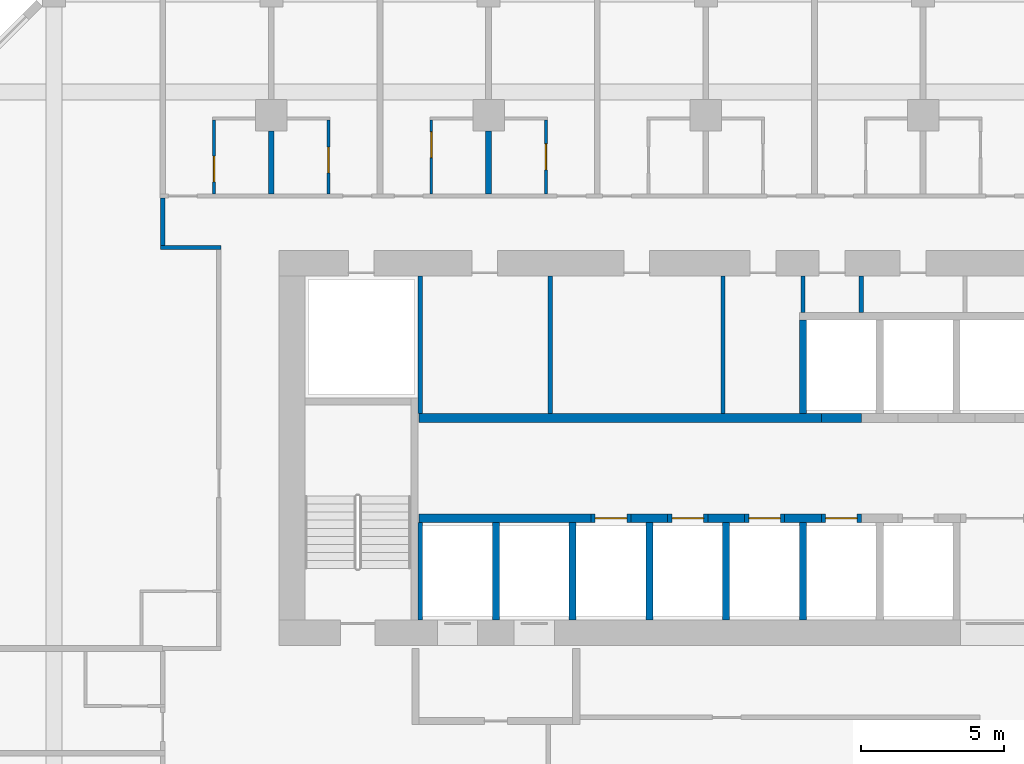
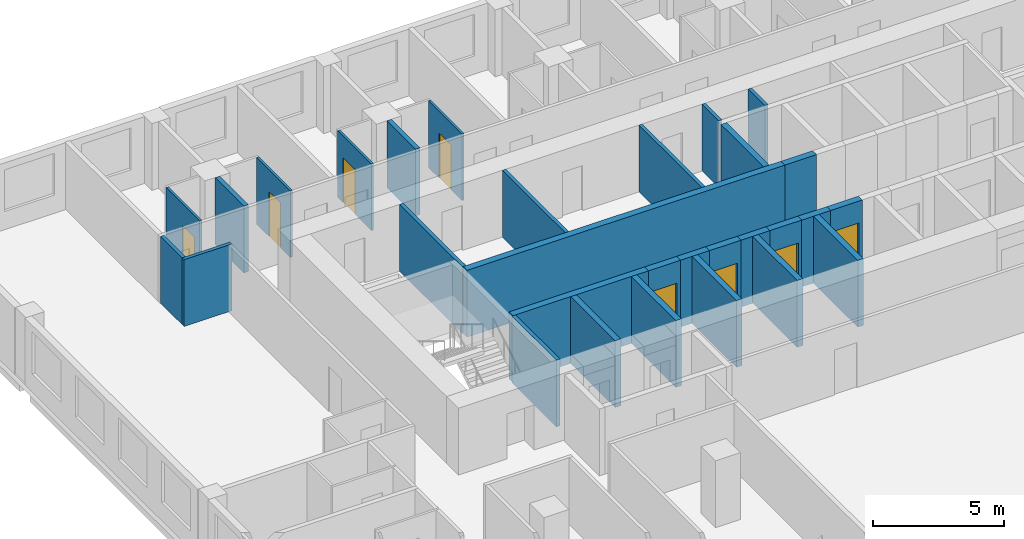
# One storey, part 7 of 23: 30 walls, 8 doors, 8 openings.
"""IFC4 building model written with IfcOpenShell, lengths in metres."""

from ifc_helpers import new_model, si_unit, direction, frame, frame_2d, origin, place, context, subcontext, project, spatial, rectangle, extrude, source, transform, mapped, material, layer, layer_set, type_object, element, fill, save


model = new_model("IFC4")

# Units and contexts
model_context = context("Model", 3, precision=1e-05, world=origin(), true_north=direction((0.0, 1.0)))
body_context = subcontext(model_context, "Body", "Model", "MODEL_VIEW")
ifc_project = project(units=[si_unit("LENGTHUNIT", "METRE"), si_unit("AREAUNIT", "SQUARE_METRE"), si_unit("VOLUMEUNIT", "CUBIC_METRE"), si_unit("PLANEANGLEUNIT", "RADIAN"), si_unit("MASSUNIT", "GRAM", prefix="KILO")], contexts=[model_context])

# Site, building, storey
site_placement = place(None, origin())
site = spatial("IfcSite", under=ifc_project, at=site_placement, CompositionType="ELEMENT")
building_placement = place(site_placement, origin())
building = spatial("IfcBuilding", under=site, at=building_placement, Name="Kilnfold Tower and Market Hall", CompositionType="ELEMENT")
storey_placement = place(building_placement, frame((0.0, 0.0, 150.699951171875)))
storey = spatial("IfcBuildingStorey", under=building, at=storey_placement, Name="L34", CompositionType="ELEMENT", Elevation=150.699951171875)

# Walls
ifc_material_1 = material(Name="Gypsum board on steel studs", Category="steel")
ifc_layer_1 = layer(ifc_material_1, 0.14990234375)
ifc_layer_set_1 = layer_set([ifc_layer_1], Name="Gypsum board on steel studs")
wall_type_1 = type_object("IfcWallType", Name="WALL CORRIDOR 150", PredefinedType="PARTITIONING", material=ifc_layer_set_1)
wall_1_placement = place(storey_placement, frame((-20.033935546875, 22.0, 0.0), z_axis=(0.0, 0.0, 1.0), x_axis=(1.0, 0.0, 0.0)))
element("IfcWall", 1, at=wall_1_placement, inside=storey, type_object=wall_type_1, Name="Partition LY22.21", PredefinedType="PARTITIONING", context=body_context, shape_type="SweptSolid", body=[
    extrude(rectangle(XDim=2.10888671875, YDim=0.14990234375, at=frame_2d((1.054443359375, 0.0))), origin(), (0.0, 0.0, 1.0), 3.1201171875),
])
wall_2_placement = place(storey_placement, frame((-19.958984375, 22.074951171875, 0.0), z_axis=(0.0, 0.0, 1.0), x_axis=(0.0, 1.0, 0.0)))
element("IfcWall", 2, at=wall_2_placement, inside=storey, type_object=wall_type_1, Name="Partition LY22.22", PredefinedType="PARTITIONING", context=body_context, shape_type="SweptSolid", body=[
    extrude(rectangle(XDim=1.650146484375, YDim=0.14990234375, at=frame_2d((0.8251953125, 0.0))), origin(), (0.0, 0.0, 1.0), 3.1201171875),
])

# Wall, opening, door
ifc_material_2 = material(Name="Gypsum board on steel studs", Category="steel")
ifc_layer_2 = layer(ifc_material_2, 0.10009765625)
ifc_layer_set_2 = layer_set([ifc_layer_2], Name="Gypsum board on steel studs")
wall_type_2 = type_object("IfcWallType", Name="WALL PARTITION 100", PredefinedType="PARTITIONING", material=ifc_layer_set_2)
wall_3_placement = place(storey_placement, frame((-18.1669921875, 23.876953125, 0.0), z_axis=(0.0, 0.0, 1.0), x_axis=(0.0, 1.0, 0.0)))
wall_3 = element("IfcWall", 3, at=wall_3_placement, inside=storey, type_object=wall_type_2, Name="Partition LY22.87", PredefinedType="PARTITIONING", context=body_context, shape_type="SweptSolid", body=[
    extrude(rectangle(XDim=2.574951171875, YDim=0.10009765625, at=frame_2d((1.28759765625, 0.0))), origin(), (0.0, 0.0, 1.0), 3.1201171875),
])
opening_1_placement = place(wall_3_placement, frame((0.4130859375, 0.0, 0.0)))
opening_1 = element("IfcOpeningElement", 4, at=opening_1_placement, cuts=wall_3, Name="Opening D3", PredefinedType="OPENING", context=body_context, shape_type="SweptSolid", body=[
    extrude(rectangle(XDim=0.89990234375, YDim=2.10009765625, at=frame_2d((0.449951171875, 1.050048828125))), frame((0.0, 0.06005859375, 0.0), z_axis=(0.0, -1.0, 0.0), x_axis=(1.0, 0.0, 0.0)), (0.0, 0.0, 1.0), 0.1201171875),
])
ifc_material_3 = material(Name="Timber veneer door leaf in steel frame", Category="steel")
door_type_1 = type_object("IfcDoorType", Name="DOOR WC 900 X2100", OperationType="NOTDEFINED", PredefinedType="DOOR", material=ifc_material_3)
door_1_placement = place(opening_1_placement, origin())
door_1 = element("IfcDoor", 5, at=door_1_placement, inside=storey, type_object=door_type_1, Name="Door D3", OperationType="SINGLE_SWING_LEFT", OverallHeight=2.10009765625, OverallWidth=0.89990234375, PredefinedType="DOOR", context=body_context, shape_type="SweptSolid", body=[
    extrude(rectangle(XDim=0.89990234375, YDim=2.10009765625, at=frame_2d((0.449951171875, 1.050048828125))), frame((0.0, 0.02490234375, 0.0), z_axis=(0.0, -1.0, 0.0), x_axis=(1.0, 0.0, 0.0)), (0.0, 0.0, 1.0), 0.050048828125),
])
fill(opening_1, door_1)

wall_4_placement = place(storey_placement, frame((-14.1669921875, 26.451904296875, 0.0), z_axis=(0.0, 0.0, 1.0), x_axis=(0.0, -1.0, 0.0)))
wall_4 = element("IfcWall", 6, at=wall_4_placement, inside=storey, type_object=wall_type_2, Name="Partition LY22.91", PredefinedType="PARTITIONING", context=body_context, shape_type="SweptSolid", body=[
    extrude(rectangle(XDim=2.574951171875, YDim=0.10009765625, at=frame_2d((1.28759765625, 0.0))), origin(), (0.0, 0.0, 1.0), 3.1201171875),
])
opening_2_placement = place(wall_4_placement, frame((0.944091796875, 0.0, 0.0)))
opening_2 = element("IfcOpeningElement", 7, at=opening_2_placement, cuts=wall_4, Name="Opening D3", PredefinedType="OPENING", context=body_context, shape_type="SweptSolid", body=[
    extrude(rectangle(XDim=0.89990234375, YDim=2.10009765625, at=frame_2d((0.449951171875, 1.050048828125))), frame((0.0, 0.06005859375, 0.0), z_axis=(0.0, -1.0, 0.0), x_axis=(1.0, 0.0, 0.0)), (0.0, 0.0, 1.0), 0.1201171875),
])
door_2_placement = place(opening_2_placement, origin())
door_2 = element("IfcDoor", 8, at=door_2_placement, inside=storey, type_object=door_type_1, Name="Door D3", OperationType="SINGLE_SWING_RIGHT", OverallHeight=2.10009765625, OverallWidth=0.89990234375, PredefinedType="DOOR", context=body_context, shape_type="SweptSolid", body=[
    extrude(rectangle(XDim=0.89990234375, YDim=2.10009765625, at=frame_2d((0.449951171875, 1.050048828125))), frame((0.0, 0.02490234375, 0.0), z_axis=(0.0, -1.0, 0.0), x_axis=(1.0, 0.0, 0.0)), (0.0, 0.0, 1.0), 0.050048828125),
])
fill(opening_2, door_2)

wall_5_placement = place(storey_placement, frame((-10.5830078125, 23.876953125, 0.0), z_axis=(0.0, 0.0, 1.0), x_axis=(0.0, 1.0, 0.0)))
wall_5 = element("IfcWall", 9, at=wall_5_placement, inside=storey, type_object=wall_type_2, Name="Partition LY22.94", PredefinedType="PARTITIONING", context=body_context, shape_type="SweptSolid", body=[
    extrude(rectangle(XDim=2.574951171875, YDim=0.10009765625, at=frame_2d((1.28759765625, 0.0))), origin(), (0.0, 0.0, 1.0), 3.1201171875),
])
opening_3_placement = place(wall_5_placement, frame((1.262939453125, 0.0, 0.0)))
opening_3 = element("IfcOpeningElement", 10, at=opening_3_placement, cuts=wall_5, Name="Opening D3", PredefinedType="OPENING", context=body_context, shape_type="SweptSolid", body=[
    extrude(rectangle(XDim=0.89990234375, YDim=2.10009765625, at=frame_2d((0.449951171875, 1.050048828125))), frame((0.0, 0.06005859375, 0.0), z_axis=(0.0, -1.0, 0.0), x_axis=(1.0, 0.0, 0.0)), (0.0, 0.0, 1.0), 0.1201171875),
])
door_3_placement = place(opening_3_placement, origin())
door_3 = element("IfcDoor", 11, at=door_3_placement, inside=storey, type_object=door_type_1, Name="Door D3", OperationType="SINGLE_SWING_LEFT", OverallHeight=2.10009765625, OverallWidth=0.89990234375, PredefinedType="DOOR", context=body_context, shape_type="SweptSolid", body=[
    extrude(rectangle(XDim=0.89990234375, YDim=2.10009765625, at=frame_2d((0.449951171875, 1.050048828125))), frame((0.0, 0.02490234375, 0.0), z_axis=(0.0, -1.0, 0.0), x_axis=(1.0, 0.0, 0.0)), (0.0, 0.0, 1.0), 0.050048828125),
])
fill(opening_3, door_3)

wall_6_placement = place(storey_placement, frame((-6.5830078125, 26.451904296875, 0.0), z_axis=(0.0, 0.0, 1.0), x_axis=(0.0, -1.0, 0.0)))
wall_6 = element("IfcWall", 12, at=wall_6_placement, inside=storey, type_object=wall_type_2, Name="Partition LY22.98", PredefinedType="PARTITIONING", context=body_context, shape_type="SweptSolid", body=[
    extrude(rectangle(XDim=2.574951171875, YDim=0.10009765625, at=frame_2d((1.28759765625, 0.0))), origin(), (0.0, 0.0, 1.0), 3.1201171875),
])
opening_4_placement = place(wall_6_placement, frame((0.837890625, 0.0, 0.0)))
opening_4 = element("IfcOpeningElement", 13, at=opening_4_placement, cuts=wall_6, Name="Opening D3", PredefinedType="OPENING", context=body_context, shape_type="SweptSolid", body=[
    extrude(rectangle(XDim=0.89990234375, YDim=2.10009765625, at=frame_2d((0.449951171875, 1.050048828125))), frame((0.0, 0.06005859375, 0.0), z_axis=(0.0, -1.0, 0.0), x_axis=(1.0, 0.0, 0.0)), (0.0, 0.0, 1.0), 0.1201171875),
])
door_4_placement = place(opening_4_placement, origin())
door_4 = element("IfcDoor", 14, at=door_4_placement, inside=storey, type_object=door_type_1, Name="Door D3", OperationType="SINGLE_SWING_LEFT", OverallHeight=2.10009765625, OverallWidth=0.89990234375, PredefinedType="DOOR", context=body_context, shape_type="SweptSolid", body=[
    extrude(rectangle(XDim=0.89990234375, YDim=2.10009765625, at=frame_2d((0.449951171875, 1.050048828125))), frame((0.0, 0.02490234375, 0.0), z_axis=(0.0, -1.0, 0.0), x_axis=(1.0, 0.0, 0.0)), (0.0, 0.0, 1.0), 0.050048828125),
])
fill(opening_4, door_4)

# Walls
ifc_material_4 = material(Name="Gypsum board on steel studs", Category="steel")
ifc_layer_3 = layer(ifc_material_4, 0.199951171875)
ifc_layer_set_3 = layer_set([ifc_layer_3], Name="Gypsum board on steel studs")
wall_type_3 = type_object("IfcWallType", Name="WALL PARTY 200", PredefinedType="PARTITIONING", material=ifc_layer_set_3)
for number, where, z_axis, x_axis, name in (
    (15, (-16.1669921875, 23.876953125, 0.0), (0.0, 0.0, 1.0), (0.0, 1.0, 0.0), "Partition LY22.89"),
    (16, (-8.5830078125, 23.876953125, 0.0), (0.0, 0.0, 1.0), (0.0, 1.0, 0.0), "Partition LY22.96"),
):
    element("IfcWall", number, at=place(storey_placement, frame(where, z_axis=z_axis, x_axis=x_axis)), inside=storey, type_object=wall_type_3, Name=name, PredefinedType="PARTITIONING", context=body_context, shape_type="SweptSolid", body=[
        extrude(rectangle(XDim=2.197998046875, YDim=0.199951171875, at=frame_2d((1.09912109375, 0.0))), origin(), (0.0, 0.0, 1.0), 3.1201171875),
    ])
ifc_material_5 = material(Name="Concrete C70", Category="concrete")
ifc_layer_4 = layer(ifc_material_5, 0.300048828125)
ifc_layer_set_4 = layer_set([ifc_layer_4], Name="Concrete C70")
wall_type_4 = type_object("IfcWallType", Name="CORE WALL 300 C70", PredefinedType="SHEAR", material=ifc_layer_set_4)
shared_shape_1 = source(origin(), body_context, "Body", "SweptSolid", [
    extrude(rectangle(XDim=6.0, YDim=0.300048828125, at=frame_2d((3.0, 0.0))), origin(), (0.0, 0.0, 1.0), 3.1201171875),
])
wall_7_placement = place(storey_placement, frame((-11.010009765625, 12.550048828125, 0.0), z_axis=(0.0, 0.0, 1.0), x_axis=(1.0, 0.0, 0.0)))
element("IfcWall", 17, at=wall_7_placement, inside=storey, type_object=wall_type_4, Name="Core spine wall", PredefinedType="SHEAR", context=body_context, shape_type="MappedRepresentation", body=[
    mapped(shared_shape_1, transform((0.0, 0.0, 0.0))),
])
shared_shape_2 = source(origin(), body_context, "Body", "SweptSolid", [
    extrude(rectangle(XDim=1.280029296875, YDim=0.300048828125, at=frame_2d((0.64013671875, 0.0))), origin(), (0.0, 0.0, 1.0), 3.1201171875),
])
for number, where, z_axis, x_axis, name in (
    (18, (-3.610107421875, 12.550048828125, 0.0), (0.0, 0.0, 1.0), (1.0, 0.0, 0.0), "Core spine wall"),
    (19, (-0.929931640625, 12.550048828125, 0.0), (0.0, 0.0, 1.0), (1.0, 0.0, 0.0), "Core spine wall"),
    (20, (1.75, 12.550048828125, 0.0), (0.0, 0.0, 1.0), (1.0, 0.0, 0.0), "Core spine wall"),
):
    element("IfcWall", number, at=place(storey_placement, frame(where, z_axis=z_axis, x_axis=x_axis)), inside=storey, type_object=wall_type_4, Name=name, PredefinedType="SHEAR", context=body_context, shape_type="MappedRepresentation", body=[
        mapped(shared_shape_2, transform((0.0, 0.0, 0.0))),
    ])
shared_shape_3 = source(origin(), body_context, "Body", "SweptSolid", [
    extrude(rectangle(XDim=14.0400390625, YDim=0.300048828125, at=frame_2d((7.02001953125, 0.0))), origin(), (0.0, 0.0, 1.0), 3.1201171875),
])
wall_8_placement = place(storey_placement, frame((-11.010009765625, 16.050048828125, 0.0), z_axis=(0.0, 0.0, 1.0), x_axis=(1.0, 0.0, 0.0)))
element("IfcWall", 21, at=wall_8_placement, inside=storey, type_object=wall_type_4, Name="Core spine wall", PredefinedType="SHEAR", context=body_context, shape_type="MappedRepresentation", body=[
    mapped(shared_shape_3, transform((0.0, 0.0, 0.0))),
])

# Wall, opening, door
ifc_material_6 = material(Name="Gypsum shaft wall system")
ifc_layer_5 = layer(ifc_material_6, 0.300048828125)
ifc_layer_set_5 = layer_set([ifc_layer_5], Name="Gypsum shaft wall system")
wall_type_5 = type_object("IfcWallType", Name="SHAFT WALL 300", PredefinedType="PARTITIONING", material=ifc_layer_set_5)
shared_shape_4 = source(origin(), body_context, "Body", "SweptSolid", [
    extrude(rectangle(XDim=1.39990234375, YDim=0.300048828125, at=frame_2d((0.699951171875, 0.0))), origin(), (0.0, 0.0, 1.0), 3.1201171875),
])
wall_9_placement = place(storey_placement, frame((-5.010009765625, 12.550048828125, 0.0), z_axis=(0.0, 0.0, 1.0), x_axis=(1.0, 0.0, 0.0)))
wall_9 = element("IfcWall", 22, at=wall_9_placement, inside=storey, type_object=wall_type_5, Name="Lift shaft front wall", PredefinedType="PARTITIONING", context=body_context, shape_type="MappedRepresentation", body=[
    mapped(shared_shape_4, transform((0.0, 0.0, 0.0))),
])
opening_5_placement = place(wall_9_placement, frame((0.14990234375, 0.0, 0.0)))
opening_5 = element("IfcOpeningElement", 23, at=opening_5_placement, cuts=wall_9, Name="Opening LD2", PredefinedType="OPENING", context=body_context, shape_type="SweptSolid", body=[
    extrude(rectangle(XDim=1.10009765625, YDim=2.10009765625, at=frame_2d((0.550048828125, 1.050048828125))), frame((0.0, 0.16015625, 0.0), z_axis=(0.0, -1.0, 0.0), x_axis=(1.0, 0.0, 0.0)), (0.0, 0.0, 1.0), 0.320068359375),
])
ifc_material_7 = material(Name="Steel door set with fire-resisting leaf", Category="steel")
door_type_2 = type_object("IfcDoorType", Name="LANDING DOOR 1100X2100", OperationType="NOTDEFINED", PredefinedType="DOOR", material=ifc_material_7)
door_5_placement = place(opening_5_placement, origin())
door_5 = element("IfcDoor", 24, at=door_5_placement, inside=storey, type_object=door_type_2, Name="Landing door MR1", OperationType="DOUBLE_DOOR_SLIDING", OverallHeight=2.10009765625, OverallWidth=1.10009765625, PredefinedType="DOOR", context=body_context, shape_type="SweptSolid", body=[
    extrude(rectangle(XDim=1.10009765625, YDim=2.10009765625, at=frame_2d((0.550048828125, 1.050048828125))), frame((0.0, 0.02490234375, 0.0), z_axis=(0.0, -1.0, 0.0), x_axis=(1.0, 0.0, 0.0)), (0.0, 0.0, 1.0), 0.050048828125),
])
fill(opening_5, door_5)

wall_10_placement = place(storey_placement, frame((0.35009765625, 12.550048828125, 0.0), z_axis=(0.0, 0.0, 1.0), x_axis=(1.0, 0.0, 0.0)))
wall_10 = element("IfcWall", 25, at=wall_10_placement, inside=storey, type_object=wall_type_5, Name="Lift shaft front wall", PredefinedType="PARTITIONING", context=body_context, shape_type="MappedRepresentation", body=[
    mapped(shared_shape_4, transform((0.0, 0.0, 0.0))),
])
opening_6_placement = place(wall_10_placement, frame((0.14990234375, 0.0, 0.0)))
opening_6 = element("IfcOpeningElement", 26, at=opening_6_placement, cuts=wall_10, Name="Opening LD2", PredefinedType="OPENING", context=body_context, shape_type="SweptSolid", body=[
    extrude(rectangle(XDim=1.10009765625, YDim=2.10009765625, at=frame_2d((0.550048828125, 1.050048828125))), frame((0.0, 0.16015625, 0.0), z_axis=(0.0, -1.0, 0.0), x_axis=(1.0, 0.0, 0.0)), (0.0, 0.0, 1.0), 0.320068359375),
])
door_6_placement = place(opening_6_placement, origin())
door_6 = element("IfcDoor", 27, at=door_6_placement, inside=storey, type_object=door_type_2, Name="Landing door MR3", OperationType="DOUBLE_DOOR_SLIDING", OverallHeight=2.10009765625, OverallWidth=1.10009765625, PredefinedType="DOOR", context=body_context, shape_type="SweptSolid", body=[
    extrude(rectangle(XDim=1.10009765625, YDim=2.10009765625, at=frame_2d((0.550048828125, 1.050048828125))), frame((0.0, 0.02490234375, 0.0), z_axis=(0.0, -1.0, 0.0), x_axis=(1.0, 0.0, 0.0)), (0.0, 0.0, 1.0), 0.050048828125),
])
fill(opening_6, door_6)

wall_11_placement = place(storey_placement, frame((3.030029296875, 12.550048828125, 0.0), z_axis=(0.0, 0.0, 1.0), x_axis=(1.0, 0.0, 0.0)))
wall_11 = element("IfcWall", 28, at=wall_11_placement, inside=storey, type_object=wall_type_5, Name="Lift shaft front wall", PredefinedType="PARTITIONING", context=body_context, shape_type="MappedRepresentation", body=[
    mapped(shared_shape_4, transform((0.0, 0.0, 0.0))),
])
opening_7_placement = place(wall_11_placement, frame((0.14990234375, 0.0, 0.0)))
opening_7 = element("IfcOpeningElement", 29, at=opening_7_placement, cuts=wall_11, Name="Opening LD2", PredefinedType="OPENING", context=body_context, shape_type="SweptSolid", body=[
    extrude(rectangle(XDim=1.10009765625, YDim=2.10009765625, at=frame_2d((0.550048828125, 1.050048828125))), frame((0.0, 0.16015625, 0.0), z_axis=(0.0, -1.0, 0.0), x_axis=(1.0, 0.0, 0.0)), (0.0, 0.0, 1.0), 0.320068359375),
])
door_7_placement = place(opening_7_placement, origin())
door_7 = element("IfcDoor", 30, at=door_7_placement, inside=storey, type_object=door_type_2, Name="Landing door MR4", OperationType="DOUBLE_DOOR_SLIDING", OverallHeight=2.10009765625, OverallWidth=1.10009765625, PredefinedType="DOOR", context=body_context, shape_type="SweptSolid", body=[
    extrude(rectangle(XDim=1.10009765625, YDim=2.10009765625, at=frame_2d((0.550048828125, 1.050048828125))), frame((0.0, 0.02490234375, 0.0), z_axis=(0.0, -1.0, 0.0), x_axis=(1.0, 0.0, 0.0)), (0.0, 0.0, 1.0), 0.050048828125),
])
fill(opening_7, door_7)

# Wall
wall_12_placement = place(storey_placement, frame((3.030029296875, 16.050048828125, 0.0), z_axis=(0.0, 0.0, 1.0), x_axis=(1.0, 0.0, 0.0)))
element("IfcWall", 31, at=wall_12_placement, inside=storey, type_object=wall_type_5, Name="Lift shaft front wall", PredefinedType="PARTITIONING", context=body_context, shape_type="MappedRepresentation", body=[
    mapped(shared_shape_4, transform((0.0, 0.0, 0.0))),
])

# Wall, opening, door
shared_shape_5 = source(origin(), body_context, "Body", "SweptSolid", [
    extrude(rectangle(XDim=1.400146484375, YDim=0.300048828125, at=frame_2d((0.7001953125, 0.0))), origin(), (0.0, 0.0, 1.0), 3.1201171875),
])
wall_13_placement = place(storey_placement, frame((-2.330078125, 12.550048828125, 0.0), z_axis=(0.0, 0.0, 1.0), x_axis=(1.0, 0.0, 0.0)))
wall_13 = element("IfcWall", 32, at=wall_13_placement, inside=storey, type_object=wall_type_5, Name="Lift shaft front wall", PredefinedType="PARTITIONING", context=body_context, shape_type="MappedRepresentation", body=[
    mapped(shared_shape_5, transform((0.0, 0.0, 0.0))),
])
opening_8_placement = place(wall_13_placement, frame((0.14990234375, 0.0, 0.0)))
opening_8 = element("IfcOpeningElement", 33, at=opening_8_placement, cuts=wall_13, Name="Opening LD2", PredefinedType="OPENING", context=body_context, shape_type="SweptSolid", body=[
    extrude(rectangle(XDim=1.10009765625, YDim=2.10009765625, at=frame_2d((0.550048828125, 1.050048828125))), frame((0.0, 0.16015625, 0.0), z_axis=(0.0, -1.0, 0.0), x_axis=(1.0, 0.0, 0.0)), (0.0, 0.0, 1.0), 0.320068359375),
])
door_8_placement = place(opening_8_placement, origin())
door_8 = element("IfcDoor", 34, at=door_8_placement, inside=storey, type_object=door_type_2, Name="Landing door MR2", OperationType="DOUBLE_DOOR_SLIDING", OverallHeight=2.10009765625, OverallWidth=1.10009765625, PredefinedType="DOOR", context=body_context, shape_type="SweptSolid", body=[
    extrude(rectangle(XDim=1.10009765625, YDim=2.10009765625, at=frame_2d((0.550048828125, 1.050048828125))), frame((0.0, 0.02490234375, 0.0), z_axis=(0.0, -1.0, 0.0), x_axis=(1.0, 0.0, 0.0)), (0.0, 0.0, 1.0), 0.050048828125),
])
fill(opening_8, door_8)

# Walls
ifc_material_8 = material(Name="Gypsum shaft wall system")
ifc_layer_6 = layer(ifc_material_8, 0.1650390625)
ifc_layer_set_6 = layer_set([ifc_layer_6], Name="Gypsum shaft wall system")
wall_type_6 = type_object("IfcWallType", Name="SHAFT WALL 165", PredefinedType="PARTITIONING", material=ifc_layer_set_6)
shared_shape_6 = source(origin(), body_context, "Body", "SweptSolid", [
    extrude(rectangle(XDim=4.800048828125, YDim=0.1650390625, at=frame_2d((2.39990234375, 0.0))), origin(), (0.0, 0.0, 1.0), 3.1201171875),
])
wall_14_placement = place(storey_placement, frame((-10.967529296875, 16.199951171875, 0.0), z_axis=(0.0, 0.0, 1.0), x_axis=(0.0, 1.0, 0.0)))
element("IfcWall", 35, at=wall_14_placement, inside=storey, type_object=wall_type_6, Name="Lift shaft wall", PredefinedType="PARTITIONING", context=body_context, shape_type="MappedRepresentation", body=[
    mapped(shared_shape_6, transform((0.0, 0.0, 0.0))),
])
ifc_material_9 = material(Name="Gypsum shaft wall system")
ifc_layer_7 = layer(ifc_material_9, 0.25)
ifc_layer_set_7 = layer_set([ifc_layer_7], Name="Gypsum shaft wall system")
wall_type_7 = type_object("IfcWallType", Name="SHAFT WALL 250", PredefinedType="PARTITIONING", material=ifc_layer_set_7)
shared_shape_7 = source(origin(), body_context, "Body", "SweptSolid", [
    extrude(rectangle(XDim=3.275146484375, YDim=0.25, at=frame_2d((1.6376953125, 0.0))), origin(), (0.0, 0.0, 1.0), 3.1201171875),
])
wall_15_placement = place(storey_placement, frame((2.389892578125, 16.199951171875, 0.0), z_axis=(0.0, 0.0, 1.0), x_axis=(0.0, 1.0, 0.0)))
element("IfcWall", 36, at=wall_15_placement, inside=storey, type_object=wall_type_7, Name="Lift shaft wall", PredefinedType="PARTITIONING", context=body_context, shape_type="MappedRepresentation", body=[
    mapped(shared_shape_7, transform((0.0, 0.0, 0.0))),
])
shared_shape_8 = source(origin(), body_context, "Body", "SweptSolid", [
    extrude(rectangle(XDim=3.39990234375, YDim=0.25, at=frame_2d((1.699951171875, 0.0))), origin(), (0.0, 0.0, 1.0), 3.1201171875),
])
for number, where, z_axis, x_axis, name in (
    (37, (2.389892578125, 9.0, 0.0), (0.0, 0.0, 1.0), (0.0, 1.0, 0.0), "Lift shaft wall"),
    (38, (-0.2900390625, 9.0, 0.0), (0.0, 0.0, 1.0), (0.0, 1.0, 0.0), "Lift shaft wall"),
    (39, (-2.969970703125, 9.0, 0.0), (0.0, 0.0, 1.0), (0.0, 1.0, 0.0), "Lift shaft wall"),
    (40, (-5.64990234375, 9.0, 0.0), (0.0, 0.0, 1.0), (0.0, 1.0, 0.0), "Lift shaft wall"),
    (41, (-8.330078125, 9.0, 0.0), (0.0, 0.0, 1.0), (0.0, 1.0, 0.0), "Lift shaft wall"),
):
    element("IfcWall", number, at=place(storey_placement, frame(where, z_axis=z_axis, x_axis=x_axis)), inside=storey, type_object=wall_type_7, Name=name, PredefinedType="PARTITIONING", context=body_context, shape_type="MappedRepresentation", body=[
        mapped(shared_shape_8, transform((0.0, 0.0, 0.0))),
    ])
shared_shape_9 = source(origin(), body_context, "Body", "SweptSolid", [
    extrude(rectangle(XDim=3.39990234375, YDim=0.1650390625, at=frame_2d((1.699951171875, 0.0))), origin(), (0.0, 0.0, 1.0), 3.1201171875),
])
wall_16_placement = place(storey_placement, frame((-10.967529296875, 9.0, 0.0), z_axis=(0.0, 0.0, 1.0), x_axis=(0.0, 1.0, 0.0)))
element("IfcWall", 42, at=wall_16_placement, inside=storey, type_object=wall_type_6, Name="Lift shaft wall", PredefinedType="PARTITIONING", context=body_context, shape_type="MappedRepresentation", body=[
    mapped(shared_shape_9, transform((0.0, 0.0, 0.0))),
])
ifc_material_10 = material(Name="Gypsum shaft wall system")
ifc_layer_8 = layer(ifc_material_10, 0.14990234375)
ifc_layer_set_8 = layer_set([ifc_layer_8], Name="Gypsum shaft wall system")
wall_type_8 = type_object("IfcWallType", Name="ROOM WALL 150", PredefinedType="PARTITIONING", material=ifc_layer_set_8)
shared_shape_10 = source(origin(), body_context, "Body", "SweptSolid", [
    extrude(rectangle(XDim=4.800048828125, YDim=0.14990234375, at=frame_2d((2.39990234375, 0.0))), origin(), (0.0, 0.0, 1.0), 3.1201171875),
])
for number, where, z_axis, x_axis, name in (
    (43, (-6.42724609375, 16.199951171875, 0.0), (0.0, 0.0, 1.0), (0.0, 1.0, 0.0), "Core room wall"),
    (44, (-0.397216796875, 16.199951171875, 0.0), (0.0, 0.0, 1.0), (0.0, 1.0, 0.0), "Core room wall"),
):
    element("IfcWall", number, at=place(storey_placement, frame(where, z_axis=z_axis, x_axis=x_axis)), inside=storey, type_object=wall_type_8, Name=name, PredefinedType="PARTITIONING", context=body_context, shape_type="MappedRepresentation", body=[
        mapped(shared_shape_10, transform((0.0, 0.0, 0.0))),
    ])
shared_shape_11 = source(origin(), body_context, "Body", "SweptSolid", [
    extrude(rectangle(XDim=1.27490234375, YDim=0.14990234375, at=frame_2d((0.637451171875, 0.0))), origin(), (0.0, 0.0, 1.0), 3.1201171875),
])
for number, where, z_axis, x_axis, name in (
    (45, (2.389892578125, 19.72509765625, 0.0), (0.0, 0.0, 1.0), (0.0, 1.0, 0.0), "Core room wall"),
    (46, (4.4267578125, 19.72509765625, 0.0), (0.0, 0.0, 1.0), (0.0, 1.0, 0.0), "Core room wall"),
):
    element("IfcWall", number, at=place(storey_placement, frame(where, z_axis=z_axis, x_axis=x_axis)), inside=storey, type_object=wall_type_8, Name=name, PredefinedType="PARTITIONING", context=body_context, shape_type="MappedRepresentation", body=[
        mapped(shared_shape_11, transform((0.0, 0.0, 0.0))),
    ])

save(model, "model.ifc")
